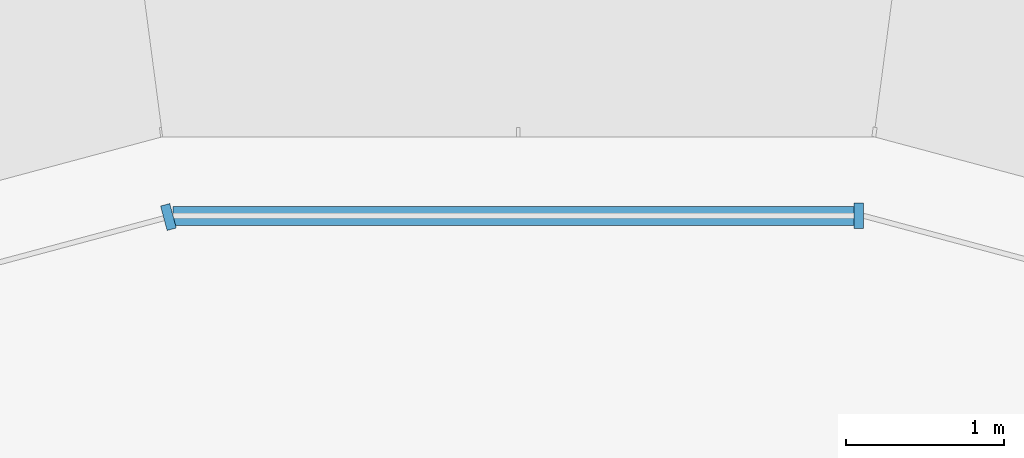
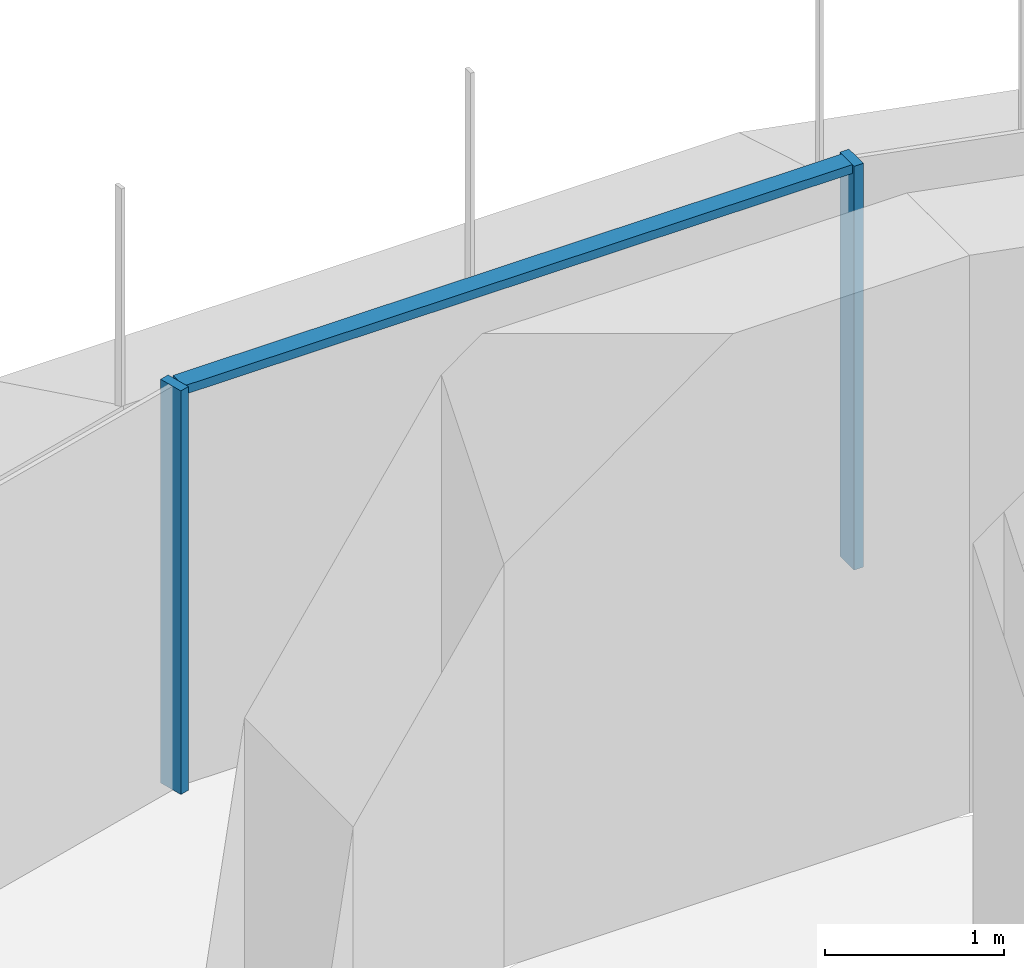
# One storey, part 11 of 20: 3 members, 2 elements without a shape of their own.
"""IFC4 building model written with IfcOpenShell, lengths in metres."""

from ifc_helpers import new_model, si_unit, direction, frame, origin, place, context, subcontext, project, spatial, polyline, outline, extrude, source, transform, mapped, material, type_object, element, aggregate, save


model = new_model("IFC4")

# Units and contexts
model_context = context("Model", 3, precision=1e-05, world=origin(), true_north=direction((0.0, 1.0)))
body_context = subcontext(model_context, "Body", "Model", "MODEL_VIEW")
ifc_project = project(units=[si_unit("LENGTHUNIT", "METRE"), si_unit("AREAUNIT", "SQUARE_METRE"), si_unit("VOLUMEUNIT", "CUBIC_METRE"), si_unit("PLANEANGLEUNIT", "RADIAN"), si_unit("MASSUNIT", "GRAM", prefix="KILO")], contexts=[model_context])

# Site, building, storey
site_placement = place(None, origin())
site = spatial("IfcSite", under=ifc_project, at=site_placement, CompositionType="ELEMENT")
building_placement = place(site_placement, origin())
building = spatial("IfcBuilding", under=site, at=building_placement, Name="Zarbagh Exchange Tower", CompositionType="ELEMENT")
storey_placement = place(building_placement, frame((0.0, 0.0, 144.800048828125)))
storey = spatial("IfcBuildingStorey", under=building, at=storey_placement, Name="L34", CompositionType="ELEMENT", Elevation=144.800048828125)

# Curtain wall, member
ifc_material_1 = material(Name="Anodised aluminium frame and glazing", Category="aluminium")
curtain_wall_type = type_object("IfcCurtainWallType", Name="CWB Ribbon glazing, upper zones", PredefinedType="NOTDEFINED", material=ifc_material_1)
curtain_wall_1_placement = place(storey_placement, origin())
curtain_wall_1 = element("IfcCurtainWall", 1, at=curtain_wall_1_placement, inside=storey, type_object=curtain_wall_type, Name="CWB24 curtain wall", PredefinedType="NOTDEFINED")
ifc_material_2 = material(Name="Anodised aluminium frame", Category="aluminium")
member_type_1 = type_object("IfcMemberType", Name="MUB Mullion, anodised aluminium frame", PredefinedType="MULLION", material=ifc_material_2)
shared_shape_1 = source(origin(), body_context, "Body", "SweptSolid", [
    extrude(outline(polyline([(0.0, -0.080078125), (0.06005859375, -0.080078125), (0.06005859375, 0.080078125), (0.0, 0.080078125), (0.0, -0.080078125)])), origin(), (0.0, 0.0, 1.0), 2.75),
])
placement = place(storey_placement, origin())
member_1 = element("IfcMember", 2, at=placement, type_object=member_type_1, Name="CWB24 mullion 1.1", PredefinedType="MULLION", context=body_context, shape_type="MappedRepresentation", body=[
    mapped(shared_shape_1, transform((2.18408203125, 31.0, 0.0), x_axis=(-1.0, 0.0, 0.0), y_axis=(0.0, -1.0, 0.0), z_axis=(0.0, 0.0, 1.0))),
])

curtain_wall_2_placement = place(storey_placement, origin())
curtain_wall_2 = element("IfcCurtainWall", 3, at=curtain_wall_2_placement, inside=storey, type_object=curtain_wall_type, Name="CWB25 curtain wall", PredefinedType="NOTDEFINED")
member_2 = element("IfcMember", 4, at=placement, type_object=member_type_1, Name="CWB25 mullion 1.1", PredefinedType="MULLION", context=body_context, shape_type="MappedRepresentation", body=[
    mapped(shared_shape_1, transform((-2.18408203125, 31.0, 0.0), x_axis=(-0.965924289636, -0.258824779902, 0.0), y_axis=(0.258824779902, -0.965924289636, 0.0), z_axis=(0.0, 0.0, 1.0))),
])
aggregate(curtain_wall_2, [member_2])

# Member
member_type_2 = type_object("IfcMemberType", Name="TRB Transom, anodised aluminium frame", PredefinedType="USERDEFINED", material=ifc_material_2)
shared_shape_2 = source(origin(), body_context, "Body", "SweptSolid", [
    extrude(outline(polyline([(-0.06005859375, -0.06005859375), (0.0, -0.06005859375), (0.0, 0.06005859375), (-0.06005859375, 0.06005859375), (-0.06005859375, -0.06005859375)])), origin(), (0.0, 0.0, 1.0), 4.308349609375),
])
member_3 = element("IfcMember", 5, at=placement, type_object=member_type_2, Name="CWB24 transom 1.1", ObjectType="TRANSOM", PredefinedType="USERDEFINED", context=body_context, shape_type="MappedRepresentation", body=[
    mapped(shared_shape_2, transform((2.124267578125, 31.0, 2.75), x_axis=(0.0, 0.0, 1.0), y_axis=(0.0, 1.0, 0.0), z_axis=(-1.0, 0.0, 0.0))),
])

aggregate(curtain_wall_1, [member_1, member_3])

save(model, "model.ifc")
